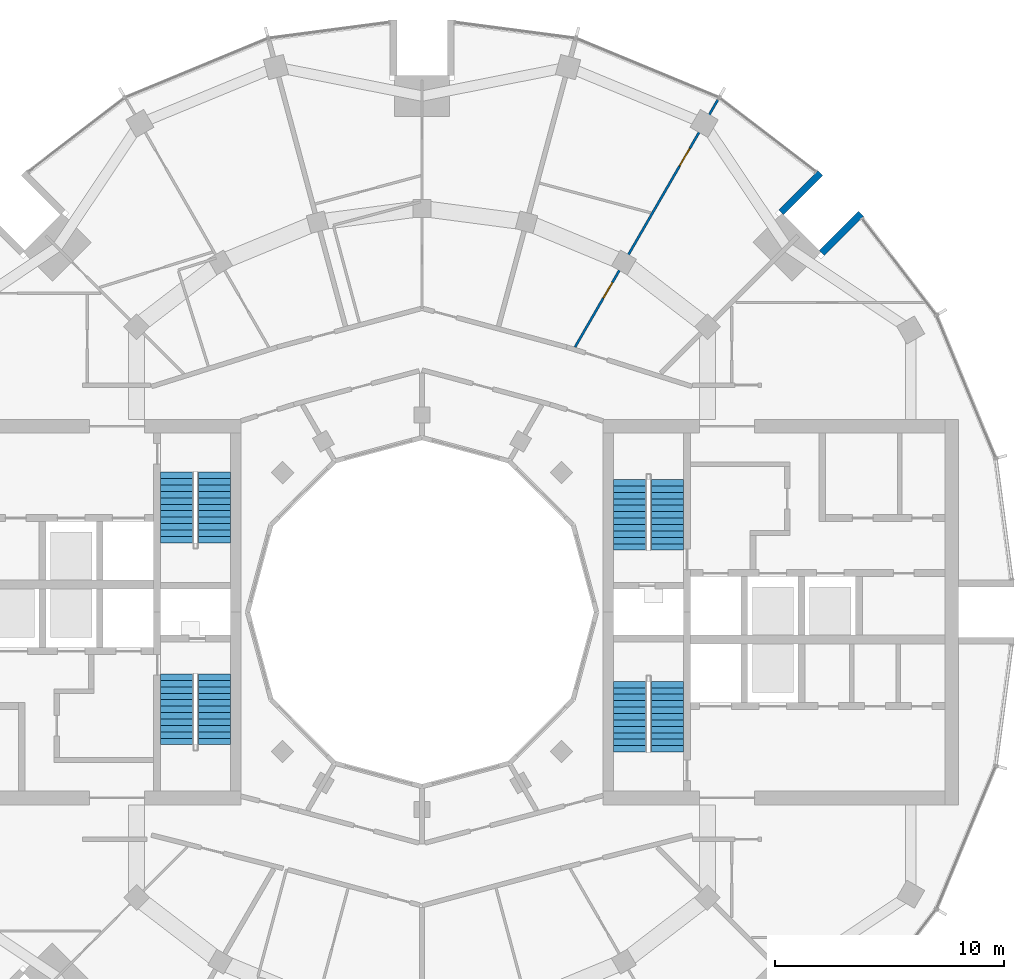
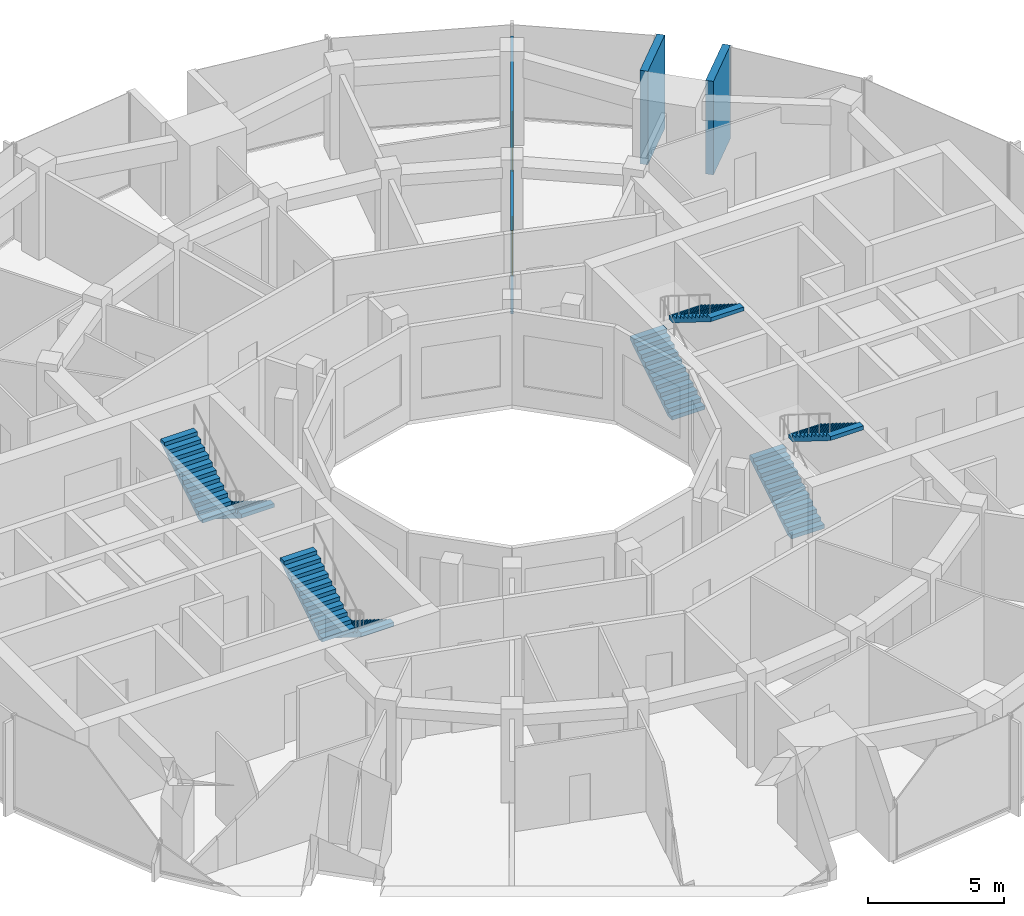
# One storey, part 13 of 15: 8 stair flights, 3 walls, 2 doors, 2 openings, 4 elements without a shape of their own.
"""IFC4 building model written with IfcOpenShell, lengths in metres."""

from ifc_helpers import new_model, si_unit, direction, frame, frame_2d, origin, place, context, subcontext, project, spatial, polyline, rectangle, outline, extrude, material, layer, layer_set, type_object, element, fill, aggregate, save


model = new_model("IFC4")

# Units and contexts
model_context = context("Model", 3, precision=1e-05, world=origin(), true_north=direction((0.0, 1.0)))
body_context = subcontext(model_context, "Body", "Model", "MODEL_VIEW")
ifc_project = project(units=[si_unit("LENGTHUNIT", "METRE"), si_unit("AREAUNIT", "SQUARE_METRE"), si_unit("VOLUMEUNIT", "CUBIC_METRE"), si_unit("PLANEANGLEUNIT", "RADIAN"), si_unit("MASSUNIT", "GRAM", prefix="KILO")], contexts=[model_context])

# Site, building, storey
site_placement = place(None, origin())
site = spatial("IfcSite", under=ifc_project, at=site_placement, CompositionType="ELEMENT")
building_placement = place(site_placement, origin())
building = spatial("IfcBuilding", under=site, at=building_placement, Name="Torre Brocal", CompositionType="ELEMENT")
storey_placement = place(building_placement, frame((0.0, 0.0, 220.89990234375)))
storey = spatial("IfcBuildingStorey", under=building, at=storey_placement, Name="L51", CompositionType="ELEMENT", Elevation=220.89990234375)

# Walls
ifc_material_1 = material(Name="Concrete C60", Category="concrete")
ifc_layer_1 = layer(ifc_material_1, 0.300048828125)
ifc_layer_set_1 = layer_set([ifc_layer_1], Name="Concrete C60")
wall_type_1 = type_object("IfcWallType", Name="NOTCH RETURN WALL 300 C60", PredefinedType="NOTDEFINED", material=ifc_layer_set_1)
for number, where, z_axis, x_axis, name in (
    (1, (97.43017578125, 90.662353515625, 0.0), (0.0, 0.0, 1.0), (0.707106781187, 0.707106781187, 0.0), "NOTCH RETURN WALL"),
    (2, (95.662353515625, 92.43017578125, 0.0), (0.0, 0.0, 1.0), (0.707106781187, 0.707106781187, 0.0), "NOTCH RETURN WALL"),
):
    element("IfcWall", number, at=place(storey_placement, frame(where, z_axis=z_axis, x_axis=x_axis)), inside=storey, type_object=wall_type_1, Name=name, PredefinedType="NOTDEFINED", context=body_context, shape_type="SweptSolid", body=[
        extrude(rectangle(XDim=2.415771484375, YDim=0.300048828125, at=frame_2d((1.2080078125, 0.0))), origin(), (0.0, 0.0, 1.0), 4.2001953125),
    ])

# Wall, openings, doors
ifc_material_2 = material(Name="Gypsum board", Category="Gypsum")
ifc_layer_2 = layer(ifc_material_2, 0.10009765625)
ifc_layer_set_2 = layer_set([ifc_layer_2], Name="Gypsum board")
wall_type_2 = type_object("IfcWallType", Name="PARTITION 100", PredefinedType="PARTITIONING", material=ifc_layer_set_2)
wall_placement = place(storey_placement, frame((86.670654296875, 86.554443359375, 0.0), z_axis=(0.0, 0.0, 1.0), x_axis=(0.500104188531, 0.865965242151, 0.0)))
wall = element("IfcWall", 3, at=wall_placement, inside=storey, type_object=wall_type_2, Name="BATHROOM WALL", PredefinedType="PARTITIONING", context=body_context, shape_type="SweptSolid", body=[
    extrude(rectangle(XDim=12.455810546875, YDim=0.10009765625, at=frame_2d((6.22802734375, 0.0))), origin(), (0.0, 0.0, 1.0), 3.75),
])
opening_1_placement = place(wall_placement, frame((9.111328125, 0.0, 0.0)))
opening_1 = element("IfcOpeningElement", 4, at=opening_1_placement, cuts=wall, Name="Opening B02-D05", PredefinedType="OPENING", context=body_context, shape_type="SweptSolid", body=[
    extrude(rectangle(XDim=0.89990234375, YDim=2.10009765625, at=frame_2d((0.449951171875, 1.050048828125))), frame((0.0, 0.06005859375, 0.0), z_axis=(0.0, -1.0, 0.0), x_axis=(1.0, 0.0, 0.0)), (0.0, 0.0, 1.0), 0.1201171875),
])
opening_2_placement = place(wall_placement, frame((2.461669921875, 0.0, 0.0)))
opening_2 = element("IfcOpeningElement", 5, at=opening_2_placement, cuts=wall, Name="Opening B02-D06", PredefinedType="OPENING", context=body_context, shape_type="SweptSolid", body=[
    extrude(rectangle(XDim=0.800048828125, YDim=2.10009765625, at=frame_2d((0.39990234375, 1.050048828125))), frame((0.0, 0.06005859375, 0.0), z_axis=(0.0, -1.0, 0.0), x_axis=(1.0, 0.0, 0.0)), (0.0, 0.0, 1.0), 0.1201171875),
])
ifc_material_3 = material(Name="Timber", Category="wood")
door_type_1 = type_object("IfcDoorType", Name="BATHROOM DOOR 800X2100", OperationType="SINGLE_SWING_LEFT", PredefinedType="DOOR", material=ifc_material_3)
door_1_placement = place(opening_2_placement, origin())
door_1 = element("IfcDoor", 6, at=door_1_placement, inside=storey, type_object=door_type_1, Name="B02-D06", OperationType="SINGLE_SWING_LEFT", OverallHeight=2.10009765625, OverallWidth=0.800048828125, PredefinedType="DOOR", context=body_context, shape_type="SweptSolid", body=[
    extrude(rectangle(XDim=0.800048828125, YDim=2.10009765625, at=frame_2d((0.39990234375, 1.050048828125))), frame((0.0, 0.02490234375, 0.0), z_axis=(0.0, -1.0, 0.0), x_axis=(1.0, 0.0, 0.0)), (0.0, 0.0, 1.0), 0.050048828125),
])
fill(opening_2, door_1)
ifc_material_4 = material(Name="Timber", Category="wood")
door_type_2 = type_object("IfcDoorType", Name="ROOM DOOR 900X2100", OperationType="SINGLE_SWING_LEFT", PredefinedType="DOOR", material=ifc_material_4)
door_2_placement = place(opening_1_placement, frame((0.89990234375, 0.0, 0.0), z_axis=(0.0, 0.0, 1.0), x_axis=(-1.0, 0.0, 0.0)))
door_2 = element("IfcDoor", 7, at=door_2_placement, inside=storey, type_object=door_type_2, Name="B02-D05", OperationType="SINGLE_SWING_LEFT", OverallHeight=2.10009765625, OverallWidth=0.89990234375, PredefinedType="DOOR", context=body_context, shape_type="SweptSolid", body=[
    extrude(rectangle(XDim=0.89990234375, YDim=2.10009765625, at=frame_2d((0.449951171875, 1.050048828125))), frame((0.0, 0.02490234375, 0.0), z_axis=(0.0, -1.0, 0.0), x_axis=(1.0, 0.0, 0.0)), (0.0, 0.0, 1.0), 0.050048828125),
])
fill(opening_1, door_2)

# Stair, stair flights
ifc_material_5 = material(Name="Concrete C50", Category="concrete")
stair_type = type_object("IfcStairType", Name="EXIT STAIR", PredefinedType="HALF_TURN_STAIR", material=ifc_material_5)
stair_1_placement = place(storey_placement, origin())
stair_1 = element("IfcStair", 8, at=stair_1_placement, inside=storey, type_object=stair_type, Name="EXIT STAIR ST1", PredefinedType="HALF_TURN_STAIR")
ifc_material_6 = material(Name="Concrete C50", Category="concrete")
ifc_layer_3 = layer(ifc_material_6, 0.14990234375)
ifc_layer_set_3 = layer_set([ifc_layer_3], Name="Concrete C50")
stair_flight_type = type_object("IfcStairFlightType", Name="STAIR FLIGHT", PredefinedType="STRAIGHT", material=ifc_layer_set_3)
stair_flight_1_placement = place(storey_placement, frame((89.050048828125, 77.699951171875, 0.0), z_axis=(0.0, 0.0, 1.0), x_axis=(0.0, 1.0, 0.0)))
stair_flight_1 = element("IfcStairFlight", 9, at=stair_flight_1_placement, type_object=stair_flight_type, Name="ST1 flight 1", NumberOfRisers=12, NumberOfTreads=11, PredefinedType="STRAIGHT", RiserHeight=0.175, TreadLength=0.28, context=body_context, shape_type="SweptSolid", body=[
    extrude(outline(polyline([(0.0, 0.0), (0.0, 0.175048828125), (0.280029296875, 0.175048828125), (0.280029296875, 0.35009765625), (0.56005859375, 0.35009765625), (0.56005859375, 0.52490234375), (0.840087890625, 0.52490234375), (0.840087890625, 0.699951171875), (1.1201171875, 0.699951171875), (1.1201171875, 0.875), (1.39990234375, 0.875), (1.39990234375, 1.050048828125), (1.679931640625, 1.050048828125), (1.679931640625, 1.22509765625), (1.9599609375, 1.22509765625), (1.9599609375, 1.39990234375), (2.239990234375, 1.39990234375), (2.239990234375, 1.574951171875), (2.52001953125, 1.574951171875), (2.52001953125, 1.75), (2.800048828125, 1.75), (2.800048828125, 1.925048828125), (3.080078125, 1.925048828125), (3.080078125, 2.10009765625), (3.080078125, 1.748291015625), (0.28271484375, 0.0), (0.0, 0.0)])), frame((0.0, 0.699951171875, 0.0), z_axis=(0.0, -1.0, 0.0), x_axis=(1.0, 0.0, 0.0)), (0.0, 0.0, 1.0), 1.39990234375),
])
stair_flight_2_placement = place(storey_placement, frame((90.699951171875, 80.780029296875, 2.10009765625), z_axis=(0.0, 0.0, 1.0), x_axis=(0.0, -1.0, 0.0)))
stair_flight_2 = element("IfcStairFlight", 10, at=stair_flight_2_placement, type_object=stair_flight_type, Name="ST1 flight 2", NumberOfRisers=12, NumberOfTreads=11, PredefinedType="STRAIGHT", RiserHeight=0.175, TreadLength=0.28, context=body_context, shape_type="SweptSolid", body=[
    extrude(outline(polyline([(0.0, 0.0), (0.0, 0.175048828125), (0.280029296875, 0.175048828125), (0.280029296875, 0.35009765625), (0.56005859375, 0.35009765625), (0.56005859375, 0.52490234375), (0.840087890625, 0.52490234375), (0.840087890625, 0.699951171875), (1.1201171875, 0.699951171875), (1.1201171875, 0.875), (1.39990234375, 0.875), (1.39990234375, 1.050048828125), (1.679931640625, 1.050048828125), (1.679931640625, 1.22509765625), (1.9599609375, 1.22509765625), (1.9599609375, 1.39990234375), (2.239990234375, 1.39990234375), (2.239990234375, 1.574951171875), (2.52001953125, 1.574951171875), (2.52001953125, 1.75), (2.800048828125, 1.75), (2.800048828125, 1.925048828125), (3.080078125, 1.925048828125), (3.080078125, 2.10009765625), (3.080078125, 1.748291015625), (0.28271484375, 0.0), (0.0, 0.0)])), frame((0.0, 0.699951171875, 0.0), z_axis=(0.0, -1.0, 0.0), x_axis=(1.0, 0.0, 0.0)), (0.0, 0.0, 1.0), 1.39990234375),
])
aggregate(stair_1, [stair_flight_1, stair_flight_2])

stair_2_placement = place(storey_placement, origin())
stair_2 = element("IfcStair", 11, at=stair_2_placement, inside=storey, type_object=stair_type, Name="EXIT STAIR ST2", PredefinedType="HALF_TURN_STAIR")
stair_flight_3_placement = place(storey_placement, frame((89.050048828125, 68.89990234375, 0.0), z_axis=(0.0, 0.0, 1.0), x_axis=(0.0, 1.0, 0.0)))
stair_flight_3 = element("IfcStairFlight", 12, at=stair_flight_3_placement, type_object=stair_flight_type, Name="ST2 flight 1", NumberOfRisers=12, NumberOfTreads=11, PredefinedType="STRAIGHT", RiserHeight=0.175, TreadLength=0.28, context=body_context, shape_type="SweptSolid", body=[
    extrude(outline(polyline([(0.0, 0.0), (0.0, 0.175048828125), (0.280029296875, 0.175048828125), (0.280029296875, 0.35009765625), (0.56005859375, 0.35009765625), (0.56005859375, 0.52490234375), (0.840087890625, 0.52490234375), (0.840087890625, 0.699951171875), (1.1201171875, 0.699951171875), (1.1201171875, 0.875), (1.39990234375, 0.875), (1.39990234375, 1.050048828125), (1.679931640625, 1.050048828125), (1.679931640625, 1.22509765625), (1.9599609375, 1.22509765625), (1.9599609375, 1.39990234375), (2.239990234375, 1.39990234375), (2.239990234375, 1.574951171875), (2.52001953125, 1.574951171875), (2.52001953125, 1.75), (2.800048828125, 1.75), (2.800048828125, 1.925048828125), (3.080078125, 1.925048828125), (3.080078125, 2.10009765625), (3.080078125, 1.748291015625), (0.28271484375, 0.0), (0.0, 0.0)])), frame((0.0, 0.699951171875, 0.0), z_axis=(0.0, -1.0, 0.0), x_axis=(1.0, 0.0, 0.0)), (0.0, 0.0, 1.0), 1.39990234375),
])
stair_flight_4_placement = place(storey_placement, frame((90.699951171875, 71.97998046875, 2.10009765625), z_axis=(0.0, 0.0, 1.0), x_axis=(0.0, -1.0, 0.0)))
stair_flight_4 = element("IfcStairFlight", 13, at=stair_flight_4_placement, type_object=stair_flight_type, Name="ST2 flight 2", NumberOfRisers=12, NumberOfTreads=11, PredefinedType="STRAIGHT", RiserHeight=0.175, TreadLength=0.28, context=body_context, shape_type="SweptSolid", body=[
    extrude(outline(polyline([(0.0, 0.0), (0.0, 0.175048828125), (0.280029296875, 0.175048828125), (0.280029296875, 0.35009765625), (0.56005859375, 0.35009765625), (0.56005859375, 0.52490234375), (0.840087890625, 0.52490234375), (0.840087890625, 0.699951171875), (1.1201171875, 0.699951171875), (1.1201171875, 0.875), (1.39990234375, 0.875), (1.39990234375, 1.050048828125), (1.679931640625, 1.050048828125), (1.679931640625, 1.22509765625), (1.9599609375, 1.22509765625), (1.9599609375, 1.39990234375), (2.239990234375, 1.39990234375), (2.239990234375, 1.574951171875), (2.52001953125, 1.574951171875), (2.52001953125, 1.75), (2.800048828125, 1.75), (2.800048828125, 1.925048828125), (3.080078125, 1.925048828125), (3.080078125, 2.10009765625), (3.080078125, 1.748291015625), (0.28271484375, 0.0), (0.0, 0.0)])), frame((0.0, 0.699951171875, 0.0), z_axis=(0.0, -1.0, 0.0), x_axis=(1.0, 0.0, 0.0)), (0.0, 0.0, 1.0), 1.39990234375),
])
aggregate(stair_2, [stair_flight_3, stair_flight_4])

stair_3_placement = place(storey_placement, origin())
stair_3 = element("IfcStair", 14, at=stair_3_placement, inside=storey, type_object=stair_type, Name="EXIT STAIR ST3", PredefinedType="HALF_TURN_STAIR")
stair_flight_5_placement = place(storey_placement, frame((70.949951171875, 72.300048828125, 0.0), z_axis=(0.0, 0.0, 1.0), x_axis=(0.0, -1.0, 0.0)))
stair_flight_5 = element("IfcStairFlight", 15, at=stair_flight_5_placement, type_object=stair_flight_type, Name="ST3 flight 1", NumberOfRisers=12, NumberOfTreads=11, PredefinedType="STRAIGHT", RiserHeight=0.175, TreadLength=0.28, context=body_context, shape_type="SweptSolid", body=[
    extrude(outline(polyline([(0.0, 0.0), (0.0, 0.175048828125), (0.280029296875, 0.175048828125), (0.280029296875, 0.35009765625), (0.56005859375, 0.35009765625), (0.56005859375, 0.52490234375), (0.840087890625, 0.52490234375), (0.840087890625, 0.699951171875), (1.1201171875, 0.699951171875), (1.1201171875, 0.875), (1.39990234375, 0.875), (1.39990234375, 1.050048828125), (1.679931640625, 1.050048828125), (1.679931640625, 1.22509765625), (1.9599609375, 1.22509765625), (1.9599609375, 1.39990234375), (2.239990234375, 1.39990234375), (2.239990234375, 1.574951171875), (2.52001953125, 1.574951171875), (2.52001953125, 1.75), (2.800048828125, 1.75), (2.800048828125, 1.925048828125), (3.080078125, 1.925048828125), (3.080078125, 2.10009765625), (3.080078125, 1.748291015625), (0.28271484375, 0.0), (0.0, 0.0)])), frame((0.0, 0.699951171875, 0.0), z_axis=(0.0, -1.0, 0.0), x_axis=(1.0, 0.0, 0.0)), (0.0, 0.0, 1.0), 1.39990234375),
])
stair_flight_6_placement = place(storey_placement, frame((69.300048828125, 69.219970703125, 2.10009765625), z_axis=(0.0, 0.0, 1.0), x_axis=(0.0, 1.0, 0.0)))
stair_flight_6 = element("IfcStairFlight", 16, at=stair_flight_6_placement, type_object=stair_flight_type, Name="ST3 flight 2", NumberOfRisers=12, NumberOfTreads=11, PredefinedType="STRAIGHT", RiserHeight=0.175, TreadLength=0.28, context=body_context, shape_type="SweptSolid", body=[
    extrude(outline(polyline([(0.0, 0.0), (0.0, 0.175048828125), (0.280029296875, 0.175048828125), (0.280029296875, 0.35009765625), (0.56005859375, 0.35009765625), (0.56005859375, 0.52490234375), (0.840087890625, 0.52490234375), (0.840087890625, 0.699951171875), (1.1201171875, 0.699951171875), (1.1201171875, 0.875), (1.39990234375, 0.875), (1.39990234375, 1.050048828125), (1.679931640625, 1.050048828125), (1.679931640625, 1.22509765625), (1.9599609375, 1.22509765625), (1.9599609375, 1.39990234375), (2.239990234375, 1.39990234375), (2.239990234375, 1.574951171875), (2.52001953125, 1.574951171875), (2.52001953125, 1.75), (2.800048828125, 1.75), (2.800048828125, 1.925048828125), (3.080078125, 1.925048828125), (3.080078125, 2.10009765625), (3.080078125, 1.748291015625), (0.28271484375, 0.0), (0.0, 0.0)])), frame((0.0, 0.699951171875, 0.0), z_axis=(0.0, -1.0, 0.0), x_axis=(1.0, 0.0, 0.0)), (0.0, 0.0, 1.0), 1.39990234375),
])
aggregate(stair_3, [stair_flight_5, stair_flight_6])

stair_4_placement = place(storey_placement, origin())
stair_4 = element("IfcStair", 17, at=stair_4_placement, inside=storey, type_object=stair_type, Name="EXIT STAIR ST4", PredefinedType="HALF_TURN_STAIR")
stair_flight_7_placement = place(storey_placement, frame((70.949951171875, 81.10009765625, 0.0), z_axis=(0.0, 0.0, 1.0), x_axis=(0.0, -1.0, 0.0)))
stair_flight_7 = element("IfcStairFlight", 18, at=stair_flight_7_placement, type_object=stair_flight_type, Name="ST4 flight 1", NumberOfRisers=12, NumberOfTreads=11, PredefinedType="STRAIGHT", RiserHeight=0.175, TreadLength=0.28, context=body_context, shape_type="SweptSolid", body=[
    extrude(outline(polyline([(0.0, 0.0), (0.0, 0.175048828125), (0.280029296875, 0.175048828125), (0.280029296875, 0.35009765625), (0.56005859375, 0.35009765625), (0.56005859375, 0.52490234375), (0.840087890625, 0.52490234375), (0.840087890625, 0.699951171875), (1.1201171875, 0.699951171875), (1.1201171875, 0.875), (1.39990234375, 0.875), (1.39990234375, 1.050048828125), (1.679931640625, 1.050048828125), (1.679931640625, 1.22509765625), (1.9599609375, 1.22509765625), (1.9599609375, 1.39990234375), (2.239990234375, 1.39990234375), (2.239990234375, 1.574951171875), (2.52001953125, 1.574951171875), (2.52001953125, 1.75), (2.800048828125, 1.75), (2.800048828125, 1.925048828125), (3.080078125, 1.925048828125), (3.080078125, 2.10009765625), (3.080078125, 1.748291015625), (0.28271484375, 0.0), (0.0, 0.0)])), frame((0.0, 0.699951171875, 0.0), z_axis=(0.0, -1.0, 0.0), x_axis=(1.0, 0.0, 0.0)), (0.0, 0.0, 1.0), 1.39990234375),
])
stair_flight_8_placement = place(storey_placement, frame((69.300048828125, 78.02001953125, 2.10009765625), z_axis=(0.0, 0.0, 1.0), x_axis=(0.0, 1.0, 0.0)))
stair_flight_8 = element("IfcStairFlight", 19, at=stair_flight_8_placement, type_object=stair_flight_type, Name="ST4 flight 2", NumberOfRisers=12, NumberOfTreads=11, PredefinedType="STRAIGHT", RiserHeight=0.175, TreadLength=0.28, context=body_context, shape_type="SweptSolid", body=[
    extrude(outline(polyline([(0.0, 0.0), (0.0, 0.175048828125), (0.280029296875, 0.175048828125), (0.280029296875, 0.35009765625), (0.56005859375, 0.35009765625), (0.56005859375, 0.52490234375), (0.840087890625, 0.52490234375), (0.840087890625, 0.699951171875), (1.1201171875, 0.699951171875), (1.1201171875, 0.875), (1.39990234375, 0.875), (1.39990234375, 1.050048828125), (1.679931640625, 1.050048828125), (1.679931640625, 1.22509765625), (1.9599609375, 1.22509765625), (1.9599609375, 1.39990234375), (2.239990234375, 1.39990234375), (2.239990234375, 1.574951171875), (2.52001953125, 1.574951171875), (2.52001953125, 1.75), (2.800048828125, 1.75), (2.800048828125, 1.925048828125), (3.080078125, 1.925048828125), (3.080078125, 2.10009765625), (3.080078125, 1.748291015625), (0.28271484375, 0.0), (0.0, 0.0)])), frame((0.0, 0.699951171875, 0.0), z_axis=(0.0, -1.0, 0.0), x_axis=(1.0, 0.0, 0.0)), (0.0, 0.0, 1.0), 1.39990234375),
])
aggregate(stair_4, [stair_flight_7, stair_flight_8])

save(model, "model.ifc")
